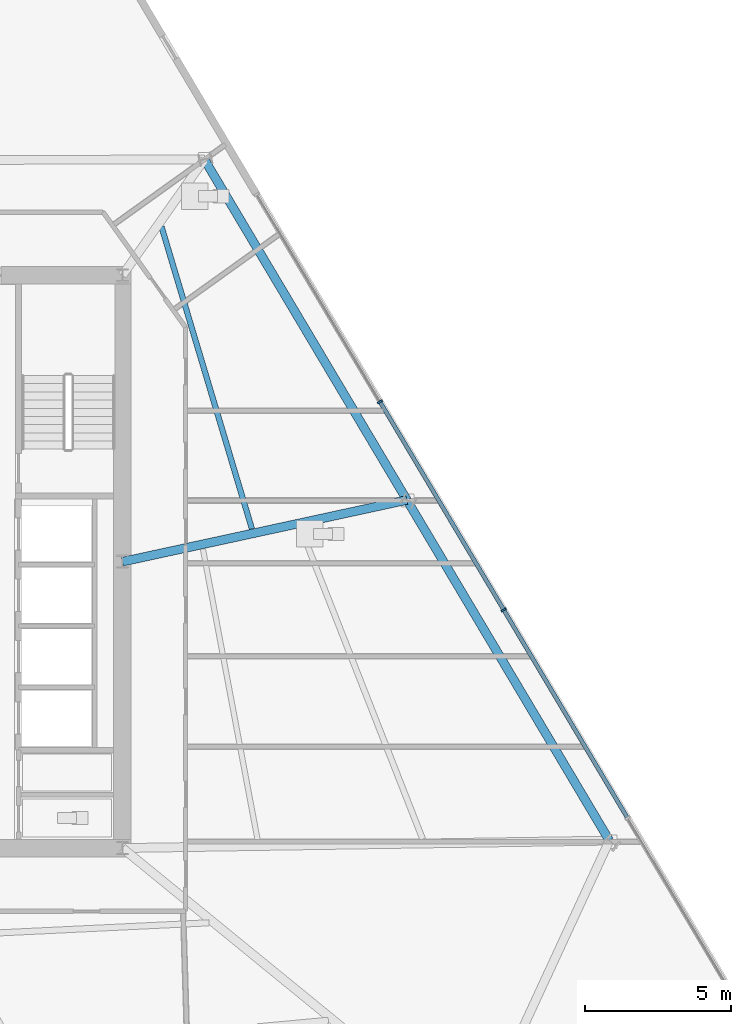
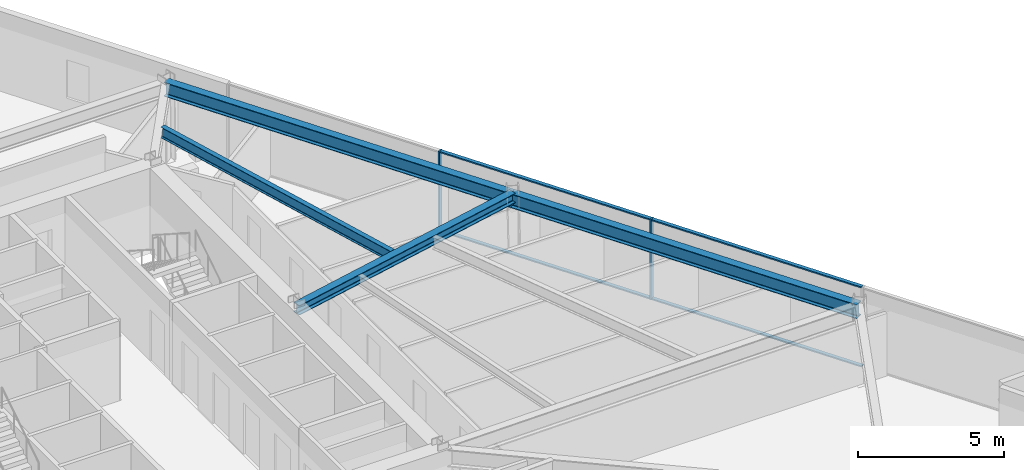
# One storey, part 6 of 17: 6 members, 4 beams, 1 element without a shape of its own.
"""IFC4 building model written with IfcOpenShell, lengths in metres."""

import ifcopenshell
import ifcopenshell.guid

model = None  # the IFC model being written
_history = None  # IfcOwnerHistory: only IFC2X3 demands one
_inside = {}  # id of a spatial element -> (the spatial element, [elements in it])
_under = {}  # id of a project, library or spatial element -> (it, [spatial elements below it])
_declared = {}  # id of a project -> (the project, [libraries it declares])
_typed = {}  # id of a type object -> (the type object, [elements of that type])
_made_of = {}  # id of a material, layer set ... -> (it, [elements and type objects made of it])


def new_model(schema):
    """Start an empty IFC model of exactly this schema.

    Asked for "IFC4X3", IfcOpenShell would pick the latest addendum, in which some entities
    have other attributes; the version numbers below select the first issue.
    IFC2X3 requires an IfcOwnerHistory on every rooted entity: one is made here for all.
    """
    global model, _history
    if schema == "IFC4X3":
        model = ifcopenshell.file(schema_version=(4, 3, 0, 0))
    else:
        model = ifcopenshell.file(schema=schema)
    _inside.clear()
    _under.clear()
    _declared.clear()
    _typed.clear()
    _made_of.clear()
    _history = None
    if model.schema == "IFC2X3":
        org = make("IfcOrganization", Name="unknown")
        user = make(
            "IfcPersonAndOrganization",
            ThePerson=make("IfcPerson", FamilyName="unknown"),
            TheOrganization=org,
        )
        app = make(
            "IfcApplication",
            ApplicationDeveloper=org,
            Version="unknown",
            ApplicationFullName="unknown",
            ApplicationIdentifier="unknown",
        )
        _history = make(
            "IfcOwnerHistory",
            OwningUser=user,
            OwningApplication=app,
            ChangeAction="ADDED",
            CreationDate=0,
        )
    return model


def make(cls, **values):
    """One entity of the class cls with the attributes given. An attribute that is None is left unset."""
    return model.create_entity(
        cls, **{name: value for name, value in values.items() if value is not None}
    )


def rooted(cls, **values):
    """An entity with a GlobalId (a new one), such as an element, a storey or a relation."""
    return make(cls, GlobalId=ifcopenshell.guid.new(), OwnerHistory=_history, **values)


def si_unit(unit_type, name, prefix=None):
    """IfcSIUnit, for example si_unit("LENGTHUNIT", "METRE", prefix="MILLI")."""
    return make("IfcSIUnit", UnitType=unit_type, Prefix=prefix, Name=name)


def assignment(units):
    """IfcUnitAssignment: the units of a project."""
    return None if units is None else make("IfcUnitAssignment", Units=units)


def point(xyz):
    """IfcCartesianPoint."""
    return None if xyz is None else make("IfcCartesianPoint", Coordinates=xyz)


def direction(xyz):
    """IfcDirection."""
    return None if xyz is None else make("IfcDirection", DirectionRatios=xyz)


def frame(location, z_axis=None, x_axis=None):
    """IfcAxis2Placement3D, a coordinate frame: its origin and axes. An axis left out is left unset."""
    return make(
        "IfcAxis2Placement3D",
        Location=point(location),
        Axis=direction(z_axis),
        RefDirection=direction(x_axis),
    )


def frame_2d(location, x_axis=None):
    """IfcAxis2Placement2D, a coordinate frame in the plane: its origin and x axis."""
    return make(
        "IfcAxis2Placement2D", Location=point(location), RefDirection=direction(x_axis)
    )


def origin():
    """The frame at (0, 0, 0) with its axes left unset."""
    return frame((0.0, 0.0, 0.0))


def origin_2d():
    """The frame at (0, 0) in the plane with its x axis left unset."""
    return frame_2d((0.0, 0.0))


def place(relative_to, where):
    """IfcLocalPlacement: puts the frame where relative to a parent placement (None: the world)."""
    return make(
        "IfcLocalPlacement", PlacementRelTo=relative_to, RelativePlacement=where
    )


def context(
    kind, dimensions, precision=None, world=None, true_north=None, identifier=None
):
    """IfcGeometricRepresentationContext, for example the 3D "Model" context."""
    return make(
        "IfcGeometricRepresentationContext",
        ContextIdentifier=identifier,
        ContextType=kind,
        CoordinateSpaceDimension=dimensions,
        Precision=precision,
        WorldCoordinateSystem=world,
        TrueNorth=true_north,
    )


def subcontext(parent, identifier, kind, view, scale=None):
    """IfcGeometricRepresentationSubContext, for example "Body" below "Model"."""
    return make(
        "IfcGeometricRepresentationSubContext",
        ContextIdentifier=identifier,
        ContextType=kind,
        ParentContext=parent,
        TargetScale=scale,
        TargetView=view,
    )


def project(units=None, contexts=None):
    """IfcProject with its units and contexts."""
    return rooted(
        "IfcProject",
        Name="project",
        RepresentationContexts=contexts,
        UnitsInContext=assignment(units),
    )


def spatial(cls, under=None, at=None, **own):
    """A site, building, storey or space (cls), placed at a placement, below another one or the project."""
    s = rooted(cls, ObjectPlacement=at, **own)
    if under is not None:
        _under.setdefault(under.id(), (under, []))[1].append(s)
    return s


def profile(cls, at=None, kind="AREA", **sizes):
    """A parametric profile (cls). Its sizes go by their IFC names, for example OverallWidth=200.0."""
    return make(cls, ProfileType=kind, Position=at, **sizes)


def rectangle(**sizes):
    """IfcRectangleProfileDef."""
    return profile("IfcRectangleProfileDef", **sizes)


def i_section(**sizes):
    """IfcIShapeProfileDef."""
    return profile("IfcIShapeProfileDef", **sizes)


def extrude(swept, where, along, depth):
    """IfcExtrudedAreaSolid: the profile swept, set in the frame where, extruded along a direction by depth."""
    return make(
        "IfcExtrudedAreaSolid",
        SweptArea=swept,
        Position=where,
        ExtrudedDirection=direction(along),
        Depth=depth,
    )


def shape(context_of_items, identifier, shape_type, items):
    """IfcShapeRepresentation: the items that make up one representation, for example the "Body"."""
    return make(
        "IfcShapeRepresentation",
        ContextOfItems=context_of_items,
        RepresentationIdentifier=identifier,
        RepresentationType=shape_type,
        Items=items,
    )


def material(Name=None, Category=None):
    """IfcMaterial."""
    return make("IfcMaterial", Name=Name, Category=Category)


def material_profile(
    of_material, cross_section, Name=None, Category=None, Priority=None
):
    """IfcMaterialProfile: a cross section and its material."""
    return make(
        "IfcMaterialProfile",
        Name=Name,
        Material=of_material,
        Profile=cross_section,
        Priority=Priority,
        Category=Category,
    )


def profile_set(profiles, Name=None, composite=None):
    """IfcMaterialProfileSet."""
    return make(
        "IfcMaterialProfileSet",
        Name=Name,
        MaterialProfiles=profiles,
        CompositeProfile=composite,
    )


def made_of(thing, what):
    """Note that an element or type object is made of a material, layer set ...; save() writes the relation."""
    if what is not None:
        _made_of.setdefault(what.id(), (what, []))[1].append(thing)
    return thing


def type_object(cls, material=None, **own):
    """A type object (cls), such as IfcWallType, which elements share."""
    return made_of(rooted(cls, **own), material)


def element(
    cls,
    number,
    at=None,
    inside=None,
    cuts=None,
    type_object=None,
    material=None,
    context=None,
    identifier="Body",
    shape_type=None,
    held_by="IfcProductDefinitionShape",
    body=None,
    shapes=None,
    **own,
):
    """One element of the class cls, such as IfcWall. Its Tag is "e" and its number.

    at: its placement. inside: the storey or other place that contains it. cuts: it is an
    opening in that element (IfcRelVoidsElement). A single representation is given by context,
    identifier, shape_type and body (its items); several are given by shapes. held_by: the class
    of the entity that holds the representations. save() writes the other relations.
    """
    e = rooted(cls, Tag="e%d" % number, ObjectPlacement=at, **own)
    if body is not None:
        shapes = [shape(context, identifier, shape_type, body)]
    if shapes is not None:
        e.Representation = make(held_by, Representations=shapes)
    if inside is not None:
        _inside.setdefault(inside.id(), (inside, []))[1].append(e)
    if cuts is not None:
        rooted(
            "IfcRelVoidsElement", RelatingBuildingElement=cuts, RelatedOpeningElement=e
        )
    if type_object is not None:
        _typed.setdefault(type_object.id(), (type_object, []))[1].append(e)
    return made_of(e, material)


def aggregate(whole, parts):
    """IfcRelAggregates: a whole, such as a stair, and the parts it consists of."""
    return rooted("IfcRelAggregates", RelatingObject=whole, RelatedObjects=parts)


def save(model, path):
    """Write the relations noted so far, then the file.

    IfcRelAggregates (storeys below a building ...), IfcRelContainedInSpatialStructure (elements
    in a storey), IfcRelDefinesByType, IfcRelAssociatesMaterial and IfcRelDeclares: one each for
    every whole, place, type object, material and project.
    """
    for whole, parts in _under.values():
        aggregate(whole, parts)
    for where, things in _inside.values():
        rooted(
            "IfcRelContainedInSpatialStructure",
            RelatedElements=things,
            RelatingStructure=where,
        )
    for kind, things in _typed.values():
        rooted("IfcRelDefinesByType", RelatedObjects=things, RelatingType=kind)
    for what, things in _made_of.values():
        rooted("IfcRelAssociatesMaterial", RelatedObjects=things, RelatingMaterial=what)
    for by, libraries in _declared.values():
        rooted("IfcRelDeclares", RelatingContext=by, RelatedDefinitions=libraries)
    model.write(path)


model = new_model("IFC4")

# Units and contexts
model_context = context("Model", 3, precision=1e-05, world=origin(), true_north=direction((0.0, 1.0)))
body_context = subcontext(model_context, "Body", "Model", "MODEL_VIEW")
ifc_project = project(units=[si_unit("LENGTHUNIT", "METRE"), si_unit("AREAUNIT", "SQUARE_METRE"), si_unit("VOLUMEUNIT", "CUBIC_METRE"), si_unit("PLANEANGLEUNIT", "RADIAN"), si_unit("MASSUNIT", "GRAM", prefix="KILO")], contexts=[model_context])

# Site, building, storey
site_placement = place(None, origin())
site = spatial("IfcSite", under=ifc_project, at=site_placement, CompositionType="ELEMENT")
building_placement = place(site_placement, origin())
building = spatial("IfcBuilding", under=site, at=building_placement, Name="Savorim Split Tower", CompositionType="ELEMENT")
storey_placement = place(building_placement, frame((0.0, 0.0, 55.199951171875)))
storey = spatial("IfcBuildingStorey", under=building, at=storey_placement, Name="L14", CompositionType="ELEMENT", Elevation=55.199951171875)

# Beams
ifc_material_1 = material(Name="Steel S355", Category="steel")
ifc_material_profile_1 = material_profile(ifc_material_1, i_section(OverallWidth=0.18994140625, OverallDepth=0.449951171875, WebThickness=0.009521484375, FlangeThickness=0.0146484375, FilletRadius=0.02099609375, at=origin_2d()), Name="IPE 450")
ifc_profile_set_1 = profile_set([ifc_material_profile_1], Name="Steel S355")
beam_type_1 = type_object("IfcBeamType", Name="BM-JST-IPE450", PredefinedType="JOIST", material=ifc_profile_set_1)
beam_1_placement = place(storey_placement, frame((12.1328125, 1.524658203125, 3.125), z_axis=(-0.286707033668, 0.958018307156, 0.0), x_axis=(-0.958018307156, -0.286707033668, 0.0)))
element("IfcBeam", 1, at=beam_1_placement, inside=storey, type_object=beam_type_1, Name="L14 Secondary Floor Joist JS-07", PredefinedType="JOIST", context=body_context, shape_type="SweptSolid", body=[
    extrude(i_section(OverallWidth=0.18994140625, OverallDepth=0.449951171875, WebThickness=0.009521484375, FlangeThickness=0.0146484375, FilletRadius=0.02099609375, at=origin_2d()), origin(), (0.0, 0.0, 1.0), 10.80078125),
])
ifc_material_profile_2 = material_profile(ifc_material_1, i_section(OverallWidth=0.300048828125, OverallDepth=0.39990234375, WebThickness=0.013427734375, FlangeThickness=0.02392578125, FilletRadius=0.027099609375, at=origin_2d()), Name="HEB 400")
ifc_profile_set_2 = profile_set([ifc_material_profile_2], Name="Steel S355")
beam_type_2 = type_object("IfcBeamType", Name="BM-PRI-HEB400", PredefinedType="BEAM", material=ifc_profile_set_2)
beam_2_placement = place(storey_placement, frame((17.436279296875, 2.51171875, 3.150146484375), z_axis=(-0.977275782262, -0.211971803324, 0.0), x_axis=(0.211971803324, -0.977275782262, 0.0)))
element("IfcBeam", 2, at=beam_2_placement, inside=storey, type_object=beam_type_2, Name="L14 Primary Floor Girder RG-06", PredefinedType="BEAM", context=body_context, shape_type="SweptSolid", body=[
    extrude(i_section(OverallWidth=0.300048828125, OverallDepth=0.39990234375, WebThickness=0.013427734375, FlangeThickness=0.02392578125, FilletRadius=0.027099609375, at=origin_2d()), origin(), (0.0, 0.0, 1.0), 9.962646484375),
])
ifc_material_profile_3 = material_profile(ifc_material_1, i_section(OverallWidth=0.300048828125, OverallDepth=0.590087890625, WebThickness=0.012939453125, FlangeThickness=0.02490234375, FilletRadius=0.027099609375, at=origin_2d()), Name="HEA 600")
ifc_profile_set_3 = profile_set([ifc_material_profile_3], Name="Steel S355")
beam_type_3 = type_object("IfcBeamType", Name="BM-SPN-HEA600", PredefinedType="SPANDREL", material=ifc_profile_set_3)
beam_3_placement = place(storey_placement, frame((24.367431640625, -9.144775390625, 3.054931640625), z_axis=(-0.511089771455, 0.859527338433, 0.0), x_axis=(-0.859527338433, -0.511089771455, 0.0)))
element("IfcBeam", 3, at=beam_3_placement, inside=storey, type_object=beam_type_3, Name="L14 Perimeter Spandrel Beam 5", PredefinedType="SPANDREL", context=body_context, shape_type="SweptSolid", body=[
    extrude(i_section(OverallWidth=0.300048828125, OverallDepth=0.590087890625, WebThickness=0.012939453125, FlangeThickness=0.02490234375, FilletRadius=0.027099609375, at=origin_2d()), origin(), (0.0, 0.0, 1.0), 13.5615234375),
])
beam_4_placement = place(storey_placement, frame((17.436279296875, 2.51171875, 3.054931640625), z_axis=(-0.511097679957, 0.859522635853, 0.0), x_axis=(-0.859522635853, -0.511097679957, 0.0)))
element("IfcBeam", 4, at=beam_4_placement, inside=storey, type_object=beam_type_3, Name="L14 Perimeter Spandrel Beam 6", PredefinedType="SPANDREL", context=body_context, shape_type="SweptSolid", body=[
    extrude(i_section(OverallWidth=0.300048828125, OverallDepth=0.590087890625, WebThickness=0.012939453125, FlangeThickness=0.02490234375, FilletRadius=0.027099609375, at=origin_2d()), origin(), (0.0, 0.0, 1.0), 13.561279296875),
])

# Curtain wall, members
ifc_material_2 = material(Name="Dark Ceramic-Fritted Insulated Glass", Category="glass")
curtain_wall_type = type_object("IfcCurtainWallType", Name="CW-TWR-FRIT-A", PredefinedType="NOTDEFINED", material=ifc_material_2)
curtain_wall_placement = place(storey_placement, origin())
curtain_wall = element("IfcCurtainWall", 5, at=curtain_wall_placement, inside=storey, type_object=curtain_wall_type, Name="L14 Curtain Wall CW-L14-EAST", PredefinedType="NOTDEFINED")
ifc_material_3 = material(Name="Charcoal Anodised Aluminium", Category="aluminium")
ifc_material_profile_4 = material_profile(ifc_material_3, rectangle(XDim=0.179931640625, YDim=0.06494140625, at=origin_2d()), Name="ALU-M 180x65")
ifc_profile_set_4 = profile_set([ifc_material_profile_4], Name="Charcoal Anodised Aluminium")
member_type_1 = type_object("IfcMemberType", Name="CWM-180x65", PredefinedType="MULLION", material=ifc_profile_set_4)
member_1_placement = place(storey_placement, frame((20.750244140625, -1.248779296875, 0.0), z_axis=(0.0, 0.0, 1.0), x_axis=(-0.859525822673, -0.511092320583, 0.0)))
member_1 = element("IfcMember", 6, at=member_1_placement, type_object=member_type_1, Name="CW-02 mullion 3", PredefinedType="MULLION", context=body_context, shape_type="SweptSolid", body=[
    extrude(rectangle(XDim=0.179931640625, YDim=0.06494140625, at=origin_2d()), origin(), (0.0, 0.0, 1.0), 3.35009765625),
])
member_2_placement = place(storey_placement, frame((16.51513671875, 5.87353515625, 0.0), z_axis=(0.0, 0.0, 1.0), x_axis=(-0.859525822673, -0.511092320583, 0.0)))
member_2 = element("IfcMember", 7, at=member_2_placement, type_object=member_type_1, Name="CW-02 mullion 4", PredefinedType="MULLION", context=body_context, shape_type="SweptSolid", body=[
    extrude(rectangle(XDim=0.179931640625, YDim=0.06494140625, at=origin_2d()), origin(), (0.0, 0.0, 1.0), 3.35009765625),
])
ifc_material_profile_5 = material_profile(ifc_material_3, rectangle(XDim=0.139892578125, YDim=0.054931640625, at=origin_2d()), Name="ALU-T 140x55")
ifc_profile_set_5 = profile_set([ifc_material_profile_5], Name="Charcoal Anodised Aluminium")
member_type_2 = type_object("IfcMemberType", Name="CWT-140x55", PredefinedType="USERDEFINED", material=ifc_profile_set_5)
member_3_placement = place(storey_placement, frame((24.96875, -8.343505859375, 0.027587890625), z_axis=(-0.511085472891, 0.859529894419, 0.0), x_axis=(-0.859529894419, -0.511085472891, 0.0)))
member_3 = element("IfcMember", 8, at=member_3_placement, type_object=member_type_2, Name="CW-02 transom 2.1", ObjectType="TRANSOM", PredefinedType="USERDEFINED", context=body_context, shape_type="SweptSolid", body=[
    extrude(rectangle(XDim=0.139892578125, YDim=0.054931640625, at=origin_2d()), origin(), (0.0, 0.0, 1.0), 8.221435546875),
])
member_4_placement = place(storey_placement, frame((24.96875, -8.343505859375, 3.322509765625), z_axis=(-0.511085472891, 0.859529894419, 0.0), x_axis=(-0.859529894419, -0.511085472891, 0.0)))
member_4 = element("IfcMember", 9, at=member_4_placement, type_object=member_type_2, Name="CW-02 transom 2.2", ObjectType="TRANSOM", PredefinedType="USERDEFINED", context=body_context, shape_type="SweptSolid", body=[
    extrude(rectangle(XDim=0.139892578125, YDim=0.054931640625, at=origin_2d()), origin(), (0.0, 0.0, 1.0), 8.221435546875),
])
member_5_placement = place(storey_placement, frame((20.733642578125, -1.220947265625, 0.027587890625), z_axis=(-0.511085472891, 0.859529894419, 0.0), x_axis=(-0.859529894419, -0.511085472891, 0.0)))
member_5 = element("IfcMember", 10, at=member_5_placement, type_object=member_type_2, Name="CW-02 transom 3.1", ObjectType="TRANSOM", PredefinedType="USERDEFINED", context=body_context, shape_type="SweptSolid", body=[
    extrude(rectangle(XDim=0.139892578125, YDim=0.054931640625, at=origin_2d()), origin(), (0.0, 0.0, 1.0), 8.221435546875),
])
member_6_placement = place(storey_placement, frame((20.733642578125, -1.220947265625, 3.322509765625), z_axis=(-0.511085472891, 0.859529894419, 0.0), x_axis=(-0.859529894419, -0.511085472891, 0.0)))
member_6 = element("IfcMember", 11, at=member_6_placement, type_object=member_type_2, Name="CW-02 transom 3.2", ObjectType="TRANSOM", PredefinedType="USERDEFINED", context=body_context, shape_type="SweptSolid", body=[
    extrude(rectangle(XDim=0.139892578125, YDim=0.054931640625, at=origin_2d()), origin(), (0.0, 0.0, 1.0), 8.221435546875),
])
aggregate(curtain_wall, [member_1, member_2, member_3, member_4, member_5, member_6])

save(model, "model.ifc")
